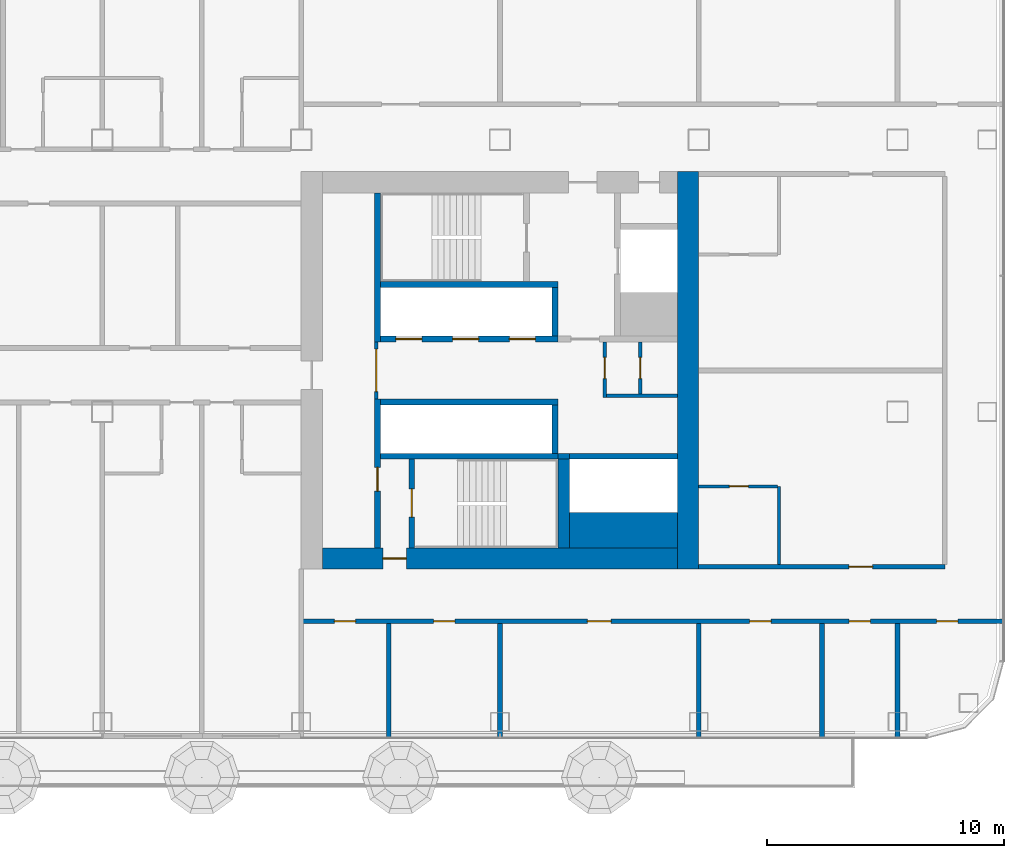
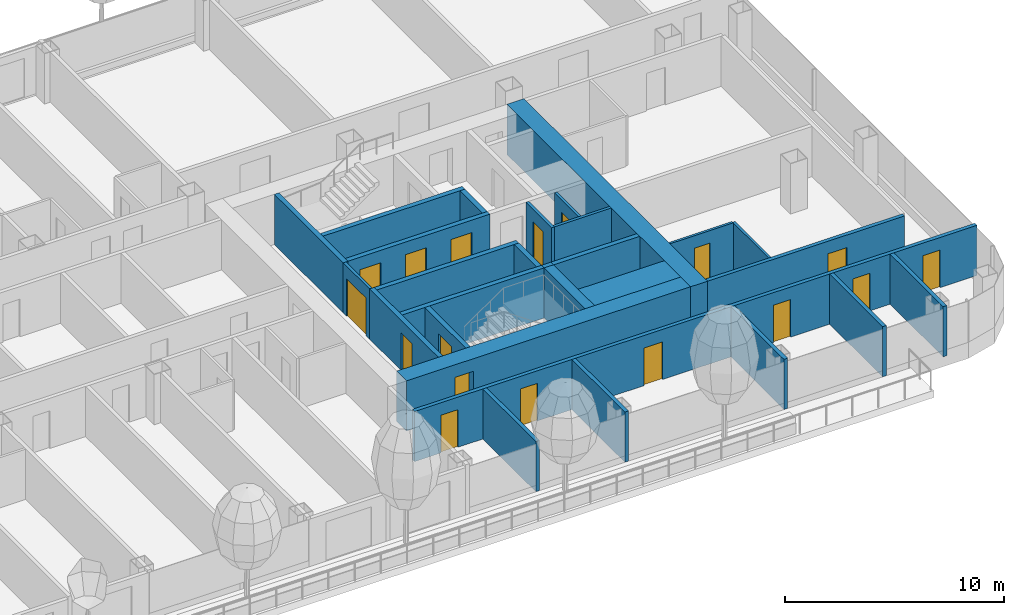
# One storey, part 18 of 34: 28 walls, 17 doors, 17 openings.
"""IFC4 building model written with IfcOpenShell, lengths in metres."""

from ifc_helpers import new_model, si_unit, direction, frame, frame_2d, origin, place, context, subcontext, project, spatial, rectangle, extrude, material, layer, layer_set, type_object, element, fill, save


model = new_model("IFC4")

# Units and contexts
model_context = context("Model", 3, precision=1e-05, world=origin(), true_north=direction((0.0, 1.0)))
body_context = subcontext(model_context, "Body", "Model", "MODEL_VIEW")
ifc_project = project(units=[si_unit("LENGTHUNIT", "METRE"), si_unit("AREAUNIT", "SQUARE_METRE"), si_unit("VOLUMEUNIT", "CUBIC_METRE"), si_unit("PLANEANGLEUNIT", "RADIAN"), si_unit("MASSUNIT", "GRAM", prefix="KILO")], contexts=[model_context])

# Site, building, storey
site_placement = place(None, origin())
site = spatial("IfcSite", under=ifc_project, at=site_placement, CompositionType="ELEMENT")
building_placement = place(site_placement, origin())
building = spatial("IfcBuilding", under=site, at=building_placement, Name="Hakoniwa Tower and Hamabe Station Hall", CompositionType="ELEMENT")
storey_placement = place(building_placement, frame((0.0, 0.0, 94.60009765625)))
storey = spatial("IfcBuildingStorey", under=building, at=storey_placement, Name="L26", CompositionType="ELEMENT", Elevation=94.60009765625)

# Wall, opening, door
ifc_material_1 = material(Name="Gypsum board partition", Category="gypsum")
ifc_layer_1 = layer(ifc_material_1, 0.125)
ifc_layer_set_1 = layer_set([ifc_layer_1], Name="Bathroom Partition 125")
wall_type_1 = type_object("IfcWallType", Name="Bathroom Partition 125", PredefinedType="PARTITIONING", material=ifc_layer_set_1)
wall_1_placement = place(storey_placement, frame((33.60009765625, -4.89990234375, 0.0), z_axis=(0.0, 0.0, 1.0), x_axis=(1.0, 0.0, 0.0)))
wall_1 = element("IfcWall", 1, at=wall_1_placement, inside=storey, type_object=wall_type_1, Name="GW-L26-006", PredefinedType="PARTITIONING", context=body_context, shape_type="SweptSolid", body=[
    extrude(rectangle(XDim=3.33740234375, YDim=0.125, at=frame_2d((1.668701171875, 0.0))), origin(), (0.0, 0.0, 1.0), 2.7998046875),
])
opening_1_placement = place(wall_1_placement, frame((1.300048828125, 0.0, 0.0)))
opening_1 = element("IfcOpeningElement", 2, at=opening_1_placement, cuts=wall_1, Name="Opening GD-G2B1-16", PredefinedType="OPENING", context=body_context, shape_type="SweptSolid", body=[
    extrude(rectangle(XDim=0.800048828125, YDim=2.10009765625, at=frame_2d((0.39990234375, 1.050048828125))), frame((0.0, 0.072509765625, 0.0), z_axis=(0.0, -1.0, 0.0), x_axis=(1.0, 0.0, 0.0)), (0.0, 0.0, 1.0), 0.14501953125),
])
ifc_material_2 = material(Name="Timber door leaf", Category="wood")
door_type_1 = type_object("IfcDoorType", Name="Bathroom Door 800", OperationType="SINGLE_SWING_LEFT", PredefinedType="DOOR", material=ifc_material_2)
door_1_placement = place(opening_1_placement, origin())
door_1 = element("IfcDoor", 3, at=door_1_placement, inside=storey, type_object=door_type_1, Name="Door GD-G2B1-16", OperationType="SINGLE_SWING_RIGHT", OverallHeight=2.10009765625, OverallWidth=0.800048828125, PredefinedType="DOOR", context=body_context, shape_type="SweptSolid", body=[
    extrude(rectangle(XDim=0.800048828125, YDim=2.10009765625, at=frame_2d((0.39990234375, 1.050048828125))), frame((0.0, 0.02490234375, 0.0), z_axis=(0.0, -1.0, 0.0), x_axis=(1.0, 0.0, 0.0)), (0.0, 0.0, 1.0), 0.050048828125),
])
fill(opening_1, door_1)

# Wall
wall_2_placement = place(storey_placement, frame((37.0, -8.199951171875, 0.0), z_axis=(0.0, 0.0, 1.0), x_axis=(0.0, 1.0, 0.0)))
element("IfcWall", 4, at=wall_2_placement, inside=storey, type_object=wall_type_1, Name="GW-L26-090", PredefinedType="PARTITIONING", context=body_context, shape_type="SweptSolid", body=[
    extrude(rectangle(XDim=3.300048828125, YDim=0.125, at=frame_2d((1.64990234375, 0.0))), origin(), (0.0, 0.0, 1.0), 2.7998046875),
])

# Wall, opening, door
ifc_material_3 = material(Name="Gypsum board partition")
ifc_layer_2 = layer(ifc_material_3, 0.14990234375)
ifc_layer_set_2 = layer_set([ifc_layer_2], Name="CORE PARTITION 150 EI 60")
wall_type_2 = type_object("IfcWallType", Name="CORE PARTITION 150 EI 60", PredefinedType="PARTITIONING", material=ifc_layer_set_2)
wall_3_placement = place(storey_placement, frame((19.97509765625, -1.199951171875, 0.0), z_axis=(0.0, 0.0, 1.0), x_axis=(0.0, 1.0, 0.0)))
wall_3 = element("IfcWall", 5, at=wall_3_placement, inside=storey, type_object=wall_type_2, Name="Core partition PL0 east", PredefinedType="PARTITIONING", context=body_context, shape_type="SweptSolid", body=[
    extrude(rectangle(XDim=2.39990234375, YDim=0.14990234375, at=frame_2d((1.199951171875, 0.0))), origin(), (0.0, 0.0, 1.0), 2.7998046875),
])
opening_2_placement = place(wall_3_placement, frame((0.300048828125, 0.0, 0.0)))
opening_2 = element("IfcOpeningElement", 6, at=opening_2_placement, cuts=wall_3, Name="Opening CD-E-LP0-18", PredefinedType="OPENING", context=body_context, shape_type="SweptSolid", body=[
    extrude(rectangle(XDim=1.800048828125, YDim=2.10009765625, at=frame_2d((0.89990234375, 1.050048828125))), frame((0.0, 0.0849609375, 0.0), z_axis=(0.0, -1.0, 0.0), x_axis=(1.0, 0.0, 0.0)), (0.0, 0.0, 1.0), 0.169921875),
])
ifc_material_4 = material(Name="Steel fire door", Category="steel")
door_type_2 = type_object("IfcDoorType", Name="CORE DOOR 1800 FD60", OperationType="DOUBLE_DOOR_SINGLE_SWING", PredefinedType="DOOR", material=ifc_material_4)
door_2_placement = place(opening_2_placement, origin())
door_2 = element("IfcDoor", 7, at=door_2_placement, inside=storey, type_object=door_type_2, Name="Lift lobby partition door", OperationType="DOUBLE_DOOR_SINGLE_SWING", OverallHeight=2.10009765625, OverallWidth=1.800048828125, PredefinedType="DOOR", context=body_context, shape_type="SweptSolid", body=[
    extrude(rectangle(XDim=1.800048828125, YDim=2.10009765625, at=frame_2d((0.89990234375, 1.050048828125))), frame((0.0, 0.02490234375, 0.0), z_axis=(0.0, -1.0, 0.0), x_axis=(1.0, 0.0, 0.0)), (0.0, 0.0, 1.0), 0.050048828125),
])
fill(opening_2, door_2)

wall_4_placement = place(storey_placement, frame((29.625, -1.14990234375, 0.0), z_axis=(0.0, 0.0, 1.0), x_axis=(0.0, 1.0, 0.0)))
wall_4 = element("IfcWall", 8, at=wall_4_placement, inside=storey, type_object=wall_type_2, Name="Core partition PW0 east", PredefinedType="PARTITIONING", context=body_context, shape_type="SweptSolid", body=[
    extrude(rectangle(XDim=2.349853515625, YDim=0.14990234375, at=frame_2d((1.1748046875, 0.0))), origin(), (0.0, 0.0, 1.0), 2.7998046875),
])
opening_3_placement = place(wall_4_placement, frame((0.800048828125, 0.0, 0.0)))
opening_3 = element("IfcOpeningElement", 9, at=opening_3_placement, cuts=wall_4, Name="Opening CD-E-RM1-9", PredefinedType="OPENING", context=body_context, shape_type="SweptSolid", body=[
    extrude(rectangle(XDim=0.89990234375, YDim=2.10009765625, at=frame_2d((0.449951171875, 1.050048828125))), frame((0.0, 0.0849609375, 0.0), z_axis=(0.0, -1.0, 0.0), x_axis=(1.0, 0.0, 0.0)), (0.0, 0.0, 1.0), 0.169921875),
])
ifc_material_5 = material(Name="Steel fire door", Category="steel")
door_type_3 = type_object("IfcDoorType", Name="CORE DOOR 900 FD30", OperationType="NOTDEFINED", PredefinedType="DOOR", material=ifc_material_5)
door_3_placement = place(opening_3_placement, origin())
door_3 = element("IfcDoor", 10, at=door_3_placement, inside=storey, type_object=door_type_3, Name="Store room door", OperationType="SINGLE_SWING_RIGHT", OverallHeight=2.10009765625, OverallWidth=0.89990234375, PredefinedType="DOOR", context=body_context, shape_type="SweptSolid", body=[
    extrude(rectangle(XDim=0.89990234375, YDim=2.10009765625, at=frame_2d((0.449951171875, 1.050048828125))), frame((0.0, 0.02490234375, 0.0), z_axis=(0.0, -1.0, 0.0), x_axis=(1.0, 0.0, 0.0)), (0.0, 0.0, 1.0), 0.050048828125),
])
fill(opening_3, door_3)

# Wall
wall_5_placement = place(storey_placement, frame((29.699951171875, -1.074951171875, 0.0), z_axis=(0.0, 0.0, 1.0), x_axis=(1.0, 0.0, 0.0)))
element("IfcWall", 11, at=wall_5_placement, inside=storey, type_object=wall_type_2, Name="Core partition PS east", PredefinedType="PARTITIONING", context=body_context, shape_type="SweptSolid", body=[
    extrude(rectangle(XDim=3.0, YDim=0.14990234375, at=frame_2d((1.5, 0.0))), origin(), (0.0, 0.0, 1.0), 2.7998046875),
])

# Wall, opening, door
wall_6_placement = place(storey_placement, frame((31.125, -1.0, 0.0), z_axis=(0.0, 0.0, 1.0), x_axis=(0.0, 1.0, 0.0)))
wall_6 = element("IfcWall", 12, at=wall_6_placement, inside=storey, type_object=wall_type_2, Name="Core partition PW1 east", PredefinedType="PARTITIONING", context=body_context, shape_type="SweptSolid", body=[
    extrude(rectangle(XDim=2.199951171875, YDim=0.14990234375, at=frame_2d((1.10009765625, 0.0))), origin(), (0.0, 0.0, 1.0), 2.7998046875),
])
opening_4_placement = place(wall_6_placement, frame((0.64990234375, 0.0, 0.0)))
opening_4 = element("IfcOpeningElement", 13, at=opening_4_placement, cuts=wall_6, Name="Opening CD-E-RM2-9", PredefinedType="OPENING", context=body_context, shape_type="SweptSolid", body=[
    extrude(rectangle(XDim=0.89990234375, YDim=2.10009765625, at=frame_2d((0.449951171875, 1.050048828125))), frame((0.0, 0.0849609375, 0.0), z_axis=(0.0, -1.0, 0.0), x_axis=(1.0, 0.0, 0.0)), (0.0, 0.0, 1.0), 0.169921875),
])
door_4_placement = place(opening_4_placement, origin())
door_4 = element("IfcDoor", 14, at=door_4_placement, inside=storey, type_object=door_type_3, Name="Store room door", OperationType="SINGLE_SWING_RIGHT", OverallHeight=2.10009765625, OverallWidth=0.89990234375, PredefinedType="DOOR", context=body_context, shape_type="SweptSolid", body=[
    extrude(rectangle(XDim=0.89990234375, YDim=2.10009765625, at=frame_2d((0.449951171875, 1.050048828125))), frame((0.0, 0.02490234375, 0.0), z_axis=(0.0, -1.0, 0.0), x_axis=(1.0, 0.0, 0.0)), (0.0, 0.0, 1.0), 0.050048828125),
])
fill(opening_4, door_4)

# Wall
ifc_material_6 = material(Name="Concrete C72", Category="concrete")
ifc_layer_3 = layer(ifc_material_6, 0.89990234375)
ifc_layer_set_3 = layer_set([ifc_layer_3], Name="CORE WALL 900 C72")
wall_type_3 = type_object("IfcWallType", Name="CORE WALL 900 C72", PredefinedType="SHEAR", material=ifc_layer_set_3)
wall_7_placement = place(storey_placement, frame((33.14990234375, -8.39990234375, 0.0), z_axis=(0.0, 0.0, 1.0), x_axis=(0.0, 1.0, 0.0)))
element("IfcWall", 15, at=wall_7_placement, inside=storey, type_object=wall_type_3, Name="Core wall OUTER east", PredefinedType="SHEAR", context=body_context, shape_type="SweptSolid", body=[
    extrude(rectangle(XDim=16.7998046875, YDim=0.89990234375, at=frame_2d((8.39990234375, 0.0))), origin(), (0.0, 0.0, 1.0), 2.7998046875),
])

# Wall, opening, door
wall_8_placement = place(storey_placement, frame((17.699951171875, -7.949951171875, 0.0), z_axis=(0.0, 0.0, 1.0), x_axis=(1.0, 0.0, 0.0)))
wall_8 = element("IfcWall", 16, at=wall_8_placement, inside=storey, type_object=wall_type_3, Name="Core wall SOUTH east", PredefinedType="SHEAR", context=body_context, shape_type="SweptSolid", body=[
    extrude(rectangle(XDim=15.0, YDim=0.89990234375, at=frame_2d((7.5, 0.0))), origin(), (0.0, 0.0, 1.0), 2.7998046875),
])
opening_5_placement = place(wall_8_placement, frame((2.550048828125, 0.0, 0.0)))
opening_5 = element("IfcOpeningElement", 17, at=opening_5_placement, cuts=wall_8, Name="Opening CD-E-FS3-10", PredefinedType="OPENING", context=body_context, shape_type="SweptSolid", body=[
    extrude(rectangle(XDim=1.0, YDim=2.10009765625, at=frame_2d((0.5, 1.050048828125))), frame((0.0, 0.4599609375, 0.0), z_axis=(0.0, -1.0, 0.0), x_axis=(1.0, 0.0, 0.0)), (0.0, 0.0, 1.0), 0.919921875),
])
ifc_material_7 = material(Name="Steel fire door", Category="steel")
door_type_4 = type_object("IfcDoorType", Name="CORE DOOR 1000 FD60", OperationType="NOTDEFINED", PredefinedType="DOOR", material=ifc_material_7)
door_5_placement = place(opening_5_placement, origin())
door_5 = element("IfcDoor", 18, at=door_5_placement, inside=storey, type_object=door_type_4, Name="Stair vestibule door", OperationType="SINGLE_SWING_LEFT", OverallHeight=2.10009765625, OverallWidth=1.0, PredefinedType="DOOR", context=body_context, shape_type="SweptSolid", body=[
    extrude(rectangle(XDim=1.0, YDim=2.10009765625, at=frame_2d((0.5, 1.050048828125))), frame((0.0, 0.02490234375, 0.0), z_axis=(0.0, -1.0, 0.0), x_axis=(1.0, 0.0, 0.0)), (0.0, 0.0, 1.0), 0.050048828125),
])
fill(opening_5, door_5)

# Walls
ifc_material_8 = material(Name="Concrete C72", Category="concrete")
ifc_layer_4 = layer(ifc_material_8, 1.5)
ifc_layer_set_4 = layer_set([ifc_layer_4], Name="CORE WEB WALL 1500 C72")
wall_type_4 = type_object("IfcWallType", Name="CORE WEB WALL 1500 C72", PredefinedType="SHEAR", material=ifc_layer_set_4)
wall_9_placement = place(storey_placement, frame((28.14990234375, -6.75, 0.0), z_axis=(0.0, 0.0, 1.0), x_axis=(1.0, 0.0, 0.0)))
element("IfcWall", 19, at=wall_9_placement, inside=storey, type_object=wall_type_4, Name="Core wall SER east", PredefinedType="SHEAR", context=body_context, shape_type="SweptSolid", body=[
    extrude(rectangle(XDim=4.550048828125, YDim=1.5, at=frame_2d((2.27490234375, 0.0))), origin(), (0.0, 0.0, 1.0), 2.7998046875),
])
ifc_material_9 = material(Name="Concrete C72", Category="concrete")
ifc_layer_5 = layer(ifc_material_9, 0.25)
ifc_layer_set_5 = layer_set([ifc_layer_5], Name="CORE WEB WALL 250 C72")
wall_type_5 = type_object("IfcWallType", Name="CORE WEB WALL 250 C72", PredefinedType="SHEAR", material=ifc_layer_set_5)
wall_10_placement = place(storey_placement, frame((20.02490234375, 1.199951171875, 0.0), z_axis=(0.0, 0.0, 1.0), x_axis=(0.0, 1.0, 0.0)))
element("IfcWall", 20, at=wall_10_placement, inside=storey, type_object=wall_type_5, Name="Core wall W1N east", PredefinedType="SHEAR", context=body_context, shape_type="SweptSolid", body=[
    extrude(rectangle(XDim=6.300048828125, YDim=0.25, at=frame_2d((3.14990234375, 0.0))), origin(), (0.0, 0.0, 1.0), 2.7998046875),
])

# Wall, opening, door
wall_11_placement = place(storey_placement, frame((20.02490234375, -7.5, 0.0), z_axis=(0.0, 0.0, 1.0), x_axis=(0.0, 1.0, 0.0)))
wall_11 = element("IfcWall", 21, at=wall_11_placement, inside=storey, type_object=wall_type_5, Name="Core wall W1S east", PredefinedType="SHEAR", context=body_context, shape_type="SweptSolid", body=[
    extrude(rectangle(XDim=6.300048828125, YDim=0.25, at=frame_2d((3.14990234375, 0.0))), origin(), (0.0, 0.0, 1.0), 2.7998046875),
])
opening_6_placement = place(wall_11_placement, frame((2.39990234375, 0.0, 0.0)))
opening_6 = element("IfcOpeningElement", 22, at=opening_6_placement, cuts=wall_11, Name="Opening CD-E-VS-10", PredefinedType="OPENING", context=body_context, shape_type="SweptSolid", body=[
    extrude(rectangle(XDim=1.0, YDim=2.10009765625, at=frame_2d((0.5, 1.050048828125))), frame((0.0, 0.135009765625, 0.0), z_axis=(0.0, -1.0, 0.0), x_axis=(1.0, 0.0, 0.0)), (0.0, 0.0, 1.0), 0.27001953125),
])
door_6_placement = place(opening_6_placement, origin())
door_6 = element("IfcDoor", 23, at=door_6_placement, inside=storey, type_object=door_type_4, Name="Stair vestibule door", OperationType="SINGLE_SWING_RIGHT", OverallHeight=2.10009765625, OverallWidth=1.0, PredefinedType="DOOR", context=body_context, shape_type="SweptSolid", body=[
    extrude(rectangle(XDim=1.0, YDim=2.10009765625, at=frame_2d((0.5, 1.050048828125))), frame((0.0, 0.02490234375, 0.0), z_axis=(0.0, -1.0, 0.0), x_axis=(1.0, 0.0, 0.0)), (0.0, 0.0, 1.0), 0.050048828125),
])
fill(opening_6, door_6)

# Wall, openings, doors
wall_12_placement = place(storey_placement, frame((20.14990234375, 1.324951171875, 0.0), z_axis=(0.0, 0.0, 1.0), x_axis=(1.0, 0.0, 0.0)))
wall_12 = element("IfcWall", 24, at=wall_12_placement, inside=storey, type_object=wall_type_5, Name="Core wall NF east", PredefinedType="SHEAR", context=body_context, shape_type="SweptSolid", body=[
    extrude(rectangle(XDim=7.5, YDim=0.25, at=frame_2d((3.75, 0.0))), origin(), (0.0, 0.0, 1.0), 2.7998046875),
])
opening_7_placement = place(wall_12_placement, frame((0.64990234375, 0.0, 0.0)))
opening_7 = element("IfcOpeningElement", 25, at=opening_7_placement, cuts=wall_12, Name="Opening LD-LR4", PredefinedType="OPENING", context=body_context, shape_type="SweptSolid", body=[
    extrude(rectangle(XDim=1.10009765625, YDim=2.10009765625, at=frame_2d((0.550048828125, 1.050048828125))), frame((0.0, 0.135009765625, 0.0), z_axis=(0.0, -1.0, 0.0), x_axis=(1.0, 0.0, 0.0)), (0.0, 0.0, 1.0), 0.27001953125),
])
opening_8_placement = place(wall_12_placement, frame((3.050048828125, 0.0, 0.0)))
opening_8 = element("IfcOpeningElement", 26, at=opening_8_placement, cuts=wall_12, Name="Opening LD-LR5", PredefinedType="OPENING", context=body_context, shape_type="SweptSolid", body=[
    extrude(rectangle(XDim=1.10009765625, YDim=2.10009765625, at=frame_2d((0.550048828125, 1.050048828125))), frame((0.0, 0.135009765625, 0.0), z_axis=(0.0, -1.0, 0.0), x_axis=(1.0, 0.0, 0.0)), (0.0, 0.0, 1.0), 0.27001953125),
])
opening_9_placement = place(wall_12_placement, frame((5.449951171875, 0.0, 0.0)))
opening_9 = element("IfcOpeningElement", 27, at=opening_9_placement, cuts=wall_12, Name="Opening LD-LR6", PredefinedType="OPENING", context=body_context, shape_type="SweptSolid", body=[
    extrude(rectangle(XDim=1.10009765625, YDim=2.10009765625, at=frame_2d((0.550048828125, 1.050048828125))), frame((0.0, 0.135009765625, 0.0), z_axis=(0.0, -1.0, 0.0), x_axis=(1.0, 0.0, 0.0)), (0.0, 0.0, 1.0), 0.27001953125),
])
ifc_material_10 = material(Name="Stainless steel SUS304", Category="steel")
door_type_5 = type_object("IfcDoorType", Name="LIFT LANDING DOOR 1100 FD60", OperationType="DOUBLE_DOOR_SLIDING", PredefinedType="DOOR", material=ifc_material_10)
door_7_placement = place(opening_7_placement, origin())
door_7 = element("IfcDoor", 28, at=door_7_placement, inside=storey, type_object=door_type_5, Name="Lift landing door LR4 L26", OperationType="DOUBLE_DOOR_SLIDING", OverallHeight=2.10009765625, OverallWidth=1.10009765625, PredefinedType="DOOR", context=body_context, shape_type="SweptSolid", body=[
    extrude(rectangle(XDim=1.10009765625, YDim=2.10009765625, at=frame_2d((0.550048828125, 1.050048828125))), frame((0.0, 0.02490234375, 0.0), z_axis=(0.0, -1.0, 0.0), x_axis=(1.0, 0.0, 0.0)), (0.0, 0.0, 1.0), 0.050048828125),
])
fill(opening_7, door_7)
door_8_placement = place(opening_8_placement, origin())
door_8 = element("IfcDoor", 29, at=door_8_placement, inside=storey, type_object=door_type_5, Name="Lift landing door LR5 L26", OperationType="DOUBLE_DOOR_SLIDING", OverallHeight=2.10009765625, OverallWidth=1.10009765625, PredefinedType="DOOR", context=body_context, shape_type="SweptSolid", body=[
    extrude(rectangle(XDim=1.10009765625, YDim=2.10009765625, at=frame_2d((0.550048828125, 1.050048828125))), frame((0.0, 0.02490234375, 0.0), z_axis=(0.0, -1.0, 0.0), x_axis=(1.0, 0.0, 0.0)), (0.0, 0.0, 1.0), 0.050048828125),
])
fill(opening_8, door_8)
door_9_placement = place(opening_9_placement, origin())
door_9 = element("IfcDoor", 30, at=door_9_placement, inside=storey, type_object=door_type_5, Name="Lift landing door LR6 L26", OperationType="DOUBLE_DOOR_SLIDING", OverallHeight=2.10009765625, OverallWidth=1.10009765625, PredefinedType="DOOR", context=body_context, shape_type="SweptSolid", body=[
    extrude(rectangle(XDim=1.10009765625, YDim=2.10009765625, at=frame_2d((0.550048828125, 1.050048828125))), frame((0.0, 0.02490234375, 0.0), z_axis=(0.0, -1.0, 0.0), x_axis=(1.0, 0.0, 0.0)), (0.0, 0.0, 1.0), 0.050048828125),
])
fill(opening_9, door_9)

# Walls
wall_13_placement = place(storey_placement, frame((27.52490234375, 1.449951171875, 0.0), z_axis=(0.0, 0.0, 1.0), x_axis=(0.0, 1.0, 0.0)))
element("IfcWall", 31, at=wall_13_placement, inside=storey, type_object=wall_type_5, Name="Core wall NE east", PredefinedType="SHEAR", context=body_context, shape_type="SweptSolid", body=[
    extrude(rectangle(XDim=2.050048828125, YDim=0.25, at=frame_2d((1.02490234375, 0.0))), origin(), (0.0, 0.0, 1.0), 2.7998046875),
])
for number, where, z_axis, x_axis, name in (
    (32, (20.14990234375, 3.625, 0.0), (0.0, 0.0, 1.0), (1.0, 0.0, 0.0), "Core wall NR east"),
    (33, (20.14990234375, -1.324951171875, 0.0), (0.0, 0.0, 1.0), (1.0, 0.0, 0.0), "Core wall SF east"),
):
    element("IfcWall", number, at=place(storey_placement, frame(where, z_axis=z_axis, x_axis=x_axis)), inside=storey, type_object=wall_type_5, Name=name, PredefinedType="SHEAR", context=body_context, shape_type="SweptSolid", body=[
        extrude(rectangle(XDim=7.5, YDim=0.25, at=frame_2d((3.75, 0.0))), origin(), (0.0, 0.0, 1.0), 2.7998046875),
    ])
wall_14_placement = place(storey_placement, frame((27.52490234375, -3.5, 0.0), z_axis=(0.0, 0.0, 1.0), x_axis=(0.0, 1.0, 0.0)))
element("IfcWall", 34, at=wall_14_placement, inside=storey, type_object=wall_type_5, Name="Core wall SE east", PredefinedType="SHEAR", context=body_context, shape_type="SweptSolid", body=[
    extrude(rectangle(XDim=2.050048828125, YDim=0.25, at=frame_2d((1.02490234375, 0.0))), origin(), (0.0, 0.0, 1.0), 2.7998046875),
])
wall_15_placement = place(storey_placement, frame((20.14990234375, -3.625, 0.0), z_axis=(0.0, 0.0, 1.0), x_axis=(1.0, 0.0, 0.0)))
element("IfcWall", 35, at=wall_15_placement, inside=storey, type_object=wall_type_5, Name="Core wall SR east", PredefinedType="SHEAR", context=body_context, shape_type="SweptSolid", body=[
    extrude(rectangle(XDim=7.5, YDim=0.25, at=frame_2d((3.75, 0.0))), origin(), (0.0, 0.0, 1.0), 2.7998046875),
])

# Wall, opening, door
wall_16_placement = place(storey_placement, frame((21.47509765625, -7.5, 0.0), z_axis=(0.0, 0.0, 1.0), x_axis=(0.0, 1.0, 0.0)))
wall_16 = element("IfcWall", 36, at=wall_16_placement, inside=storey, type_object=wall_type_5, Name="Core wall VE east", PredefinedType="SHEAR", context=body_context, shape_type="SweptSolid", body=[
    extrude(rectangle(XDim=3.75, YDim=0.25, at=frame_2d((1.875, 0.0))), origin(), (0.0, 0.0, 1.0), 2.7998046875),
])
opening_10_placement = place(wall_16_placement, frame((1.300048828125, 0.0, 0.0)))
opening_10 = element("IfcOpeningElement", 37, at=opening_10_placement, cuts=wall_16, Name="Opening CD-E-SS-12", PredefinedType="OPENING", context=body_context, shape_type="SweptSolid", body=[
    extrude(rectangle(XDim=1.199951171875, YDim=2.10009765625, at=frame_2d((0.60009765625, 1.050048828125))), frame((0.0, 0.135009765625, 0.0), z_axis=(0.0, -1.0, 0.0), x_axis=(1.0, 0.0, 0.0)), (0.0, 0.0, 1.0), 0.27001953125),
])
ifc_material_11 = material(Name="Steel fire door", Category="steel")
door_type_6 = type_object("IfcDoorType", Name="CORE DOOR 1200 FD60", OperationType="DOUBLE_DOOR_SINGLE_SWING", PredefinedType="DOOR", material=ifc_material_11)
door_10_placement = place(opening_10_placement, origin())
door_10 = element("IfcDoor", 38, at=door_10_placement, inside=storey, type_object=door_type_6, Name="Escape stair door", OperationType="DOUBLE_DOOR_SINGLE_SWING", OverallHeight=2.10009765625, OverallWidth=1.199951171875, PredefinedType="DOOR", context=body_context, shape_type="SweptSolid", body=[
    extrude(rectangle(XDim=1.199951171875, YDim=2.10009765625, at=frame_2d((0.60009765625, 1.050048828125))), frame((0.0, 0.02490234375, 0.0), z_axis=(0.0, -1.0, 0.0), x_axis=(1.0, 0.0, 0.0)), (0.0, 0.0, 1.0), 0.050048828125),
])
fill(opening_10, door_10)

# Walls
wall_17_placement = place(storey_placement, frame((28.14990234375, -3.625, 0.0), z_axis=(0.0, 0.0, 1.0), x_axis=(1.0, 0.0, 0.0)))
element("IfcWall", 39, at=wall_17_placement, inside=storey, type_object=wall_type_5, Name="Core wall SEF east", PredefinedType="SHEAR", context=body_context, shape_type="SweptSolid", body=[
    extrude(rectangle(XDim=4.550048828125, YDim=0.25, at=frame_2d((2.27490234375, 0.0))), origin(), (0.0, 0.0, 1.0), 2.7998046875),
])
wall_18_placement = place(storey_placement, frame((27.64990234375, -3.625, 0.0), z_axis=(0.0, 0.0, 1.0), x_axis=(1.0, 0.0, 0.0)))
element("IfcWall", 40, at=wall_18_placement, inside=storey, type_object=wall_type_5, Name="Core wall SRK east", PredefinedType="SHEAR", context=body_context, shape_type="SweptSolid", body=[
    extrude(rectangle(XDim=0.5, YDim=0.25, at=frame_2d((0.25, 0.0))), origin(), (0.0, 0.0, 1.0), 2.7998046875),
])
ifc_material_12 = material(Name="Concrete C72", Category="concrete")
ifc_layer_6 = layer(ifc_material_12, 0.5)
ifc_layer_set_6 = layer_set([ifc_layer_6], Name="CORE WEB WALL 500 C72")
wall_type_6 = type_object("IfcWallType", Name="CORE WEB WALL 500 C72", PredefinedType="SHEAR", material=ifc_layer_set_6)
wall_19_placement = place(storey_placement, frame((27.89990234375, -7.5, 0.0), z_axis=(0.0, 0.0, 1.0), x_axis=(0.0, 1.0, 0.0)))
element("IfcWall", 41, at=wall_19_placement, inside=storey, type_object=wall_type_6, Name="Core wall SSE east", PredefinedType="SHEAR", context=body_context, shape_type="SweptSolid", body=[
    extrude(rectangle(XDim=3.75, YDim=0.5, at=frame_2d((1.875, 0.0))), origin(), (0.0, 0.0, 1.0), 2.7998046875),
])

# Wall, openings, doors
ifc_material_13 = material(Name="Fire-rated gypsum board partition", Category="gypsum")
ifc_layer_7 = layer(ifc_material_13, 0.199951171875)
ifc_layer_set_7 = layer_set([ifc_layer_7], Name="Corridor Wall 200")
wall_type_7 = type_object("IfcWallType", Name="Corridor Wall 200", PredefinedType="PARTITIONING", material=ifc_layer_set_7)
wall_20_placement = place(storey_placement, frame((16.800048828125, -10.60009765625, 0.0), z_axis=(0.0, 0.0, 1.0), x_axis=(1.0, 0.0, 0.0)))
wall_20 = element("IfcWall", 42, at=wall_20_placement, inside=storey, type_object=wall_type_7, Name="GW-L26-002", PredefinedType="PARTITIONING", context=body_context, shape_type="SweptSolid", body=[
    extrude(rectangle(XDim=29.699951171875, YDim=0.199951171875, at=frame_2d((14.85009765625, 0.0))), origin(), (0.0, 0.0, 1.0), 2.7998046875),
])
opening_11_placement = place(wall_20_placement, frame((1.39990234375, 0.0, 0.0)))
opening_11 = element("IfcOpeningElement", 43, at=opening_11_placement, cuts=wall_20, Name="Opening GD-G2B1-07", PredefinedType="OPENING", context=body_context, shape_type="SweptSolid", body=[
    extrude(rectangle(XDim=0.89990234375, YDim=2.10009765625, at=frame_2d((0.449951171875, 1.050048828125))), frame((0.0, 0.10986328125, 0.0), z_axis=(0.0, -1.0, 0.0), x_axis=(1.0, 0.0, 0.0)), (0.0, 0.0, 1.0), 0.219970703125),
])
opening_12_placement = place(wall_20_placement, frame((5.60009765625, 0.0, 0.0)))
opening_12 = element("IfcOpeningElement", 44, at=opening_12_placement, cuts=wall_20, Name="Opening GD-G2B1-08", PredefinedType="OPENING", context=body_context, shape_type="SweptSolid", body=[
    extrude(rectangle(XDim=0.89990234375, YDim=2.10009765625, at=frame_2d((0.449951171875, 1.050048828125))), frame((0.0, 0.10986328125, 0.0), z_axis=(0.0, -1.0, 0.0), x_axis=(1.0, 0.0, 0.0)), (0.0, 0.0, 1.0), 0.219970703125),
])
opening_13_placement = place(wall_20_placement, frame((12.10009765625, 0.0, 0.0)))
opening_13 = element("IfcOpeningElement", 45, at=opening_13_placement, cuts=wall_20, Name="Opening GD-G2B1-09", PredefinedType="OPENING", context=body_context, shape_type="SweptSolid", body=[
    extrude(rectangle(XDim=1.0, YDim=2.10009765625, at=frame_2d((0.5, 1.050048828125))), frame((0.0, 0.10986328125, 0.0), z_axis=(0.0, -1.0, 0.0), x_axis=(1.0, 0.0, 0.0)), (0.0, 0.0, 1.0), 0.219970703125),
])
opening_14_placement = place(wall_20_placement, frame((18.955078125, 0.0, 0.0)))
opening_14 = element("IfcOpeningElement", 46, at=opening_14_placement, cuts=wall_20, Name="Opening GD-G2B1-10", PredefinedType="OPENING", context=body_context, shape_type="SweptSolid", body=[
    extrude(rectangle(XDim=0.89990234375, YDim=2.10009765625, at=frame_2d((0.449951171875, 1.050048828125))), frame((0.0, 0.10986328125, 0.0), z_axis=(0.0, -1.0, 0.0), x_axis=(1.0, 0.0, 0.0)), (0.0, 0.0, 1.0), 0.219970703125),
])
opening_15_placement = place(wall_20_placement, frame((23.155029296875, 0.0, 0.0)))
opening_15 = element("IfcOpeningElement", 47, at=opening_15_placement, cuts=wall_20, Name="Opening GD-G2B1-11", PredefinedType="OPENING", context=body_context, shape_type="SweptSolid", body=[
    extrude(rectangle(XDim=0.89990234375, YDim=2.10009765625, at=frame_2d((0.449951171875, 1.050048828125))), frame((0.0, 0.10986328125, 0.0), z_axis=(0.0, -1.0, 0.0), x_axis=(1.0, 0.0, 0.0)), (0.0, 0.0, 1.0), 0.219970703125),
])
opening_16_placement = place(wall_20_placement, frame((26.85009765625, 0.0, 0.0)))
opening_16 = element("IfcOpeningElement", 48, at=opening_16_placement, cuts=wall_20, Name="Opening GD-G2B1-12", PredefinedType="OPENING", context=body_context, shape_type="SweptSolid", body=[
    extrude(rectangle(XDim=0.89990234375, YDim=2.10009765625, at=frame_2d((0.449951171875, 1.050048828125))), frame((0.0, 0.10986328125, 0.0), z_axis=(0.0, -1.0, 0.0), x_axis=(1.0, 0.0, 0.0)), (0.0, 0.0, 1.0), 0.219970703125),
])
ifc_material_14 = material(Name="Timber door leaf", Category="wood")
door_type_7 = type_object("IfcDoorType", Name="Guest Entrance Door 1000", OperationType="SINGLE_SWING_LEFT", PredefinedType="DOOR", material=ifc_material_14)
door_11_placement = place(opening_13_placement, origin())
door_11 = element("IfcDoor", 49, at=door_11_placement, inside=storey, type_object=door_type_7, Name="Door GD-G2B1-09", OperationType="SINGLE_SWING_RIGHT", OverallHeight=2.10009765625, OverallWidth=1.0, PredefinedType="DOOR", context=body_context, shape_type="SweptSolid", body=[
    extrude(rectangle(XDim=1.0, YDim=2.10009765625, at=frame_2d((0.5, 1.050048828125))), frame((0.0, 0.02490234375, 0.0), z_axis=(0.0, -1.0, 0.0), x_axis=(1.0, 0.0, 0.0)), (0.0, 0.0, 1.0), 0.050048828125),
])
fill(opening_13, door_11)
ifc_material_15 = material(Name="Timber door leaf", Category="wood")
door_type_8 = type_object("IfcDoorType", Name="Service Door 900", OperationType="SINGLE_SWING_LEFT", PredefinedType="DOOR", material=ifc_material_15)
door_12_placement = place(opening_11_placement, origin())
door_12 = element("IfcDoor", 50, at=door_12_placement, inside=storey, type_object=door_type_8, Name="Door GD-G2B1-07", OperationType="SINGLE_SWING_RIGHT", OverallHeight=2.10009765625, OverallWidth=0.89990234375, PredefinedType="DOOR", context=body_context, shape_type="SweptSolid", body=[
    extrude(rectangle(XDim=0.89990234375, YDim=2.10009765625, at=frame_2d((0.449951171875, 1.050048828125))), frame((0.0, 0.02490234375, 0.0), z_axis=(0.0, -1.0, 0.0), x_axis=(1.0, 0.0, 0.0)), (0.0, 0.0, 1.0), 0.050048828125),
])
fill(opening_11, door_12)
door_13_placement = place(opening_12_placement, origin())
door_13 = element("IfcDoor", 51, at=door_13_placement, inside=storey, type_object=door_type_8, Name="Door GD-G2B1-08", OperationType="SINGLE_SWING_LEFT", OverallHeight=2.10009765625, OverallWidth=0.89990234375, PredefinedType="DOOR", context=body_context, shape_type="SweptSolid", body=[
    extrude(rectangle(XDim=0.89990234375, YDim=2.10009765625, at=frame_2d((0.449951171875, 1.050048828125))), frame((0.0, 0.02490234375, 0.0), z_axis=(0.0, -1.0, 0.0), x_axis=(1.0, 0.0, 0.0)), (0.0, 0.0, 1.0), 0.050048828125),
])
fill(opening_12, door_13)
door_14_placement = place(opening_14_placement, origin())
door_14 = element("IfcDoor", 52, at=door_14_placement, inside=storey, type_object=door_type_8, Name="Door GD-G2B1-10", OperationType="SINGLE_SWING_RIGHT", OverallHeight=2.10009765625, OverallWidth=0.89990234375, PredefinedType="DOOR", context=body_context, shape_type="SweptSolid", body=[
    extrude(rectangle(XDim=0.89990234375, YDim=2.10009765625, at=frame_2d((0.449951171875, 1.050048828125))), frame((0.0, 0.02490234375, 0.0), z_axis=(0.0, -1.0, 0.0), x_axis=(1.0, 0.0, 0.0)), (0.0, 0.0, 1.0), 0.050048828125),
])
fill(opening_14, door_14)
door_15_placement = place(opening_15_placement, origin())
door_15 = element("IfcDoor", 53, at=door_15_placement, inside=storey, type_object=door_type_8, Name="Door GD-G2B1-11", OperationType="SINGLE_SWING_LEFT", OverallHeight=2.10009765625, OverallWidth=0.89990234375, PredefinedType="DOOR", context=body_context, shape_type="SweptSolid", body=[
    extrude(rectangle(XDim=0.89990234375, YDim=2.10009765625, at=frame_2d((0.449951171875, 1.050048828125))), frame((0.0, 0.02490234375, 0.0), z_axis=(0.0, -1.0, 0.0), x_axis=(1.0, 0.0, 0.0)), (0.0, 0.0, 1.0), 0.050048828125),
])
fill(opening_15, door_15)
door_16_placement = place(opening_16_placement, origin())
door_16 = element("IfcDoor", 54, at=door_16_placement, inside=storey, type_object=door_type_8, Name="Door GD-G2B1-12", OperationType="SINGLE_SWING_LEFT", OverallHeight=2.10009765625, OverallWidth=0.89990234375, PredefinedType="DOOR", context=body_context, shape_type="SweptSolid", body=[
    extrude(rectangle(XDim=0.89990234375, YDim=2.10009765625, at=frame_2d((0.449951171875, 1.050048828125))), frame((0.0, 0.02490234375, 0.0), z_axis=(0.0, -1.0, 0.0), x_axis=(1.0, 0.0, 0.0)), (0.0, 0.0, 1.0), 0.050048828125),
])
fill(opening_16, door_16)

# Wall, opening, door
wall_21_placement = place(storey_placement, frame((33.60009765625, -8.300048828125, 0.0), z_axis=(0.0, 0.0, 1.0), x_axis=(1.0, 0.0, 0.0)))
wall_21 = element("IfcWall", 55, at=wall_21_placement, inside=storey, type_object=wall_type_7, Name="GW-L26-004", PredefinedType="PARTITIONING", context=body_context, shape_type="SweptSolid", body=[
    extrude(rectangle(XDim=10.39990234375, YDim=0.199951171875, at=frame_2d((5.199951171875, 0.0))), origin(), (0.0, 0.0, 1.0), 2.7998046875),
])
opening_17_placement = place(wall_21_placement, frame((6.35009765625, 0.0, 0.0)))
opening_17 = element("IfcOpeningElement", 56, at=opening_17_placement, cuts=wall_21, Name="Opening GD-G2B1-14", PredefinedType="OPENING", context=body_context, shape_type="SweptSolid", body=[
    extrude(rectangle(XDim=1.0, YDim=2.10009765625, at=frame_2d((0.5, 1.050048828125))), frame((0.0, 0.10986328125, 0.0), z_axis=(0.0, -1.0, 0.0), x_axis=(1.0, 0.0, 0.0)), (0.0, 0.0, 1.0), 0.219970703125),
])
door_17_placement = place(opening_17_placement, origin())
door_17 = element("IfcDoor", 57, at=door_17_placement, inside=storey, type_object=door_type_7, Name="Door GD-G2B1-14", OperationType="SINGLE_SWING_LEFT", OverallHeight=2.10009765625, OverallWidth=1.0, PredefinedType="DOOR", context=body_context, shape_type="SweptSolid", body=[
    extrude(rectangle(XDim=1.0, YDim=2.10009765625, at=frame_2d((0.5, 1.050048828125))), frame((0.0, 0.02490234375, 0.0), z_axis=(0.0, -1.0, 0.0), x_axis=(1.0, 0.0, 0.0)), (0.0, 0.0, 1.0), 0.050048828125),
])
fill(opening_17, door_17)

# Walls
ifc_material_16 = material(Name="Fire-rated gypsum board partition", Category="gypsum")
ifc_layer_8 = layer(ifc_material_16, 0.199951171875)
ifc_layer_set_8 = layer_set([ifc_layer_8], Name="Party Wall 200")
wall_type_8 = type_object("IfcWallType", Name="Party Wall 200", PredefinedType="PARTITIONING", material=ifc_layer_set_8)
for number, where, z_axis, x_axis, name in (
    (58, (20.5, -15.550048828125, 0.0), (0.0, 0.0, 1.0), (0.0, 1.0, 0.0), "GW-L26-085"),
    (59, (25.199951171875, -15.550048828125, 0.0), (0.0, 0.0, 1.0), (0.0, 1.0, 0.0), "GW-L26-086"),
    (60, (33.60009765625, -15.550048828125, 0.0), (0.0, 0.0, 1.0), (0.0, 1.0, 0.0), "GW-L26-088"),
    (61, (38.81005859375, -15.550048828125, 0.0), (0.0, 0.0, 1.0), (0.0, 1.0, 0.0), "GW-L26-092"),
    (62, (42.0, -15.550048828125, 0.0), (0.0, 0.0, 1.0), (0.0, 1.0, 0.0), "GW-L26-093"),
):
    element("IfcWall", number, at=place(storey_placement, frame(where, z_axis=z_axis, x_axis=x_axis)), inside=storey, type_object=wall_type_8, Name=name, PredefinedType="PARTITIONING", context=body_context, shape_type="SweptSolid", body=[
        extrude(rectangle(XDim=4.85009765625, YDim=0.199951171875, at=frame_2d((2.425048828125, 0.0))), origin(), (0.0, 0.0, 1.0), 2.7998046875),
    ])

save(model, "model.ifc")
